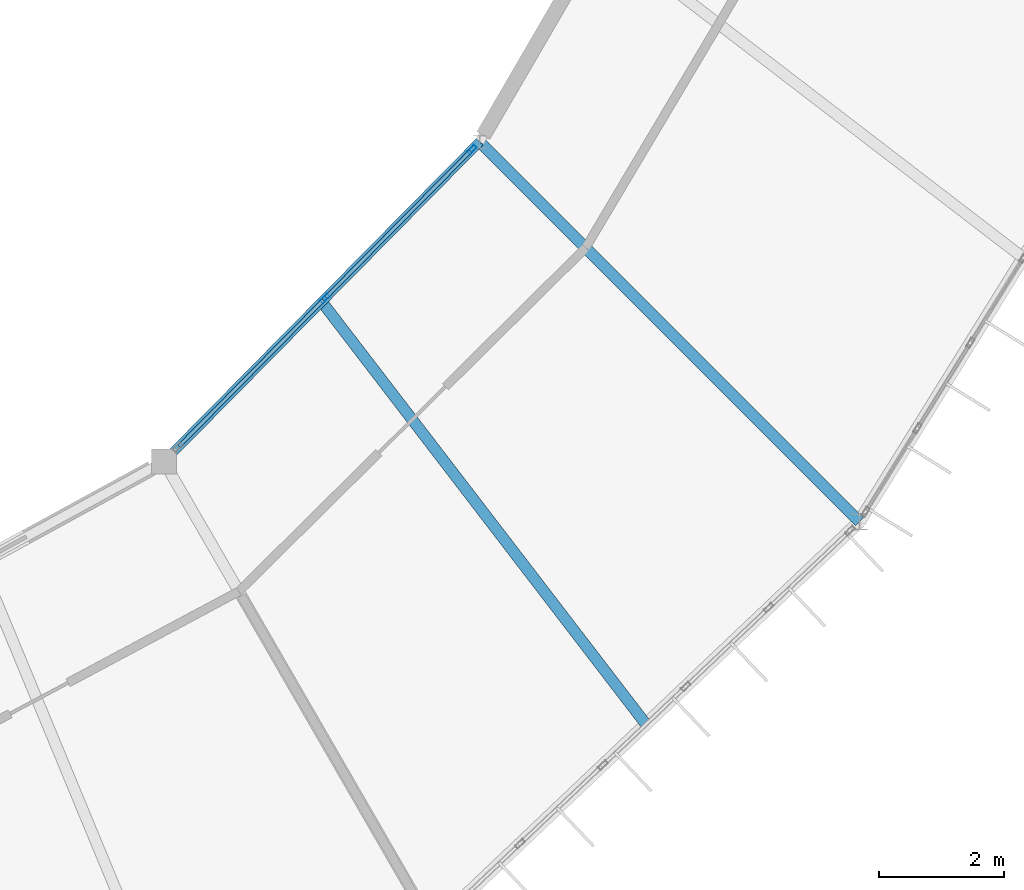
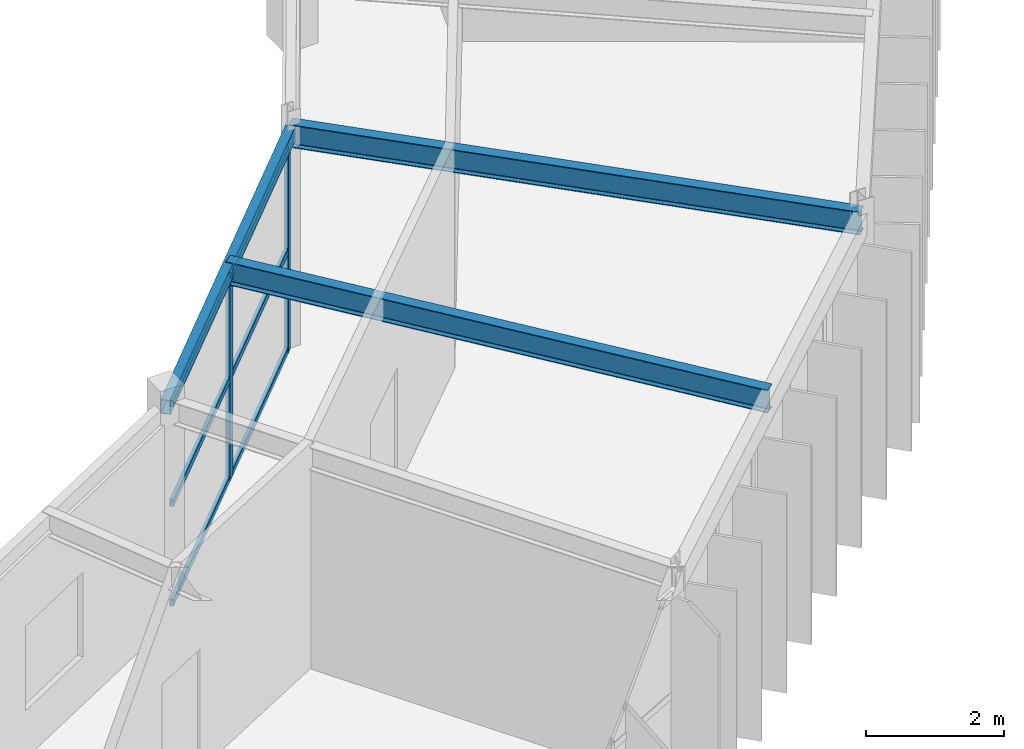
# One storey, part 38 of 106: 8 members, 3 beams, 1 element without a shape of its own.
"""IFC4 building model written with IfcOpenShell, lengths in metres."""

import ifcopenshell
import ifcopenshell.guid

model = None  # the IFC model being written
_history = None  # IfcOwnerHistory: only IFC2X3 demands one
_inside = {}  # id of a spatial element -> (the spatial element, [elements in it])
_under = {}  # id of a project, library or spatial element -> (it, [spatial elements below it])
_declared = {}  # id of a project -> (the project, [libraries it declares])
_typed = {}  # id of a type object -> (the type object, [elements of that type])
_made_of = {}  # id of a material, layer set ... -> (it, [elements and type objects made of it])


def new_model(schema):
    """Start an empty IFC model of exactly this schema.

    Asked for "IFC4X3", IfcOpenShell would pick the latest addendum, in which some entities
    have other attributes; the version numbers below select the first issue.
    IFC2X3 requires an IfcOwnerHistory on every rooted entity: one is made here for all.
    """
    global model, _history
    if schema == "IFC4X3":
        model = ifcopenshell.file(schema_version=(4, 3, 0, 0))
    else:
        model = ifcopenshell.file(schema=schema)
    _inside.clear()
    _under.clear()
    _declared.clear()
    _typed.clear()
    _made_of.clear()
    _history = None
    if model.schema == "IFC2X3":
        org = make("IfcOrganization", Name="unknown")
        user = make(
            "IfcPersonAndOrganization",
            ThePerson=make("IfcPerson", FamilyName="unknown"),
            TheOrganization=org,
        )
        app = make(
            "IfcApplication",
            ApplicationDeveloper=org,
            Version="unknown",
            ApplicationFullName="unknown",
            ApplicationIdentifier="unknown",
        )
        _history = make(
            "IfcOwnerHistory",
            OwningUser=user,
            OwningApplication=app,
            ChangeAction="ADDED",
            CreationDate=0,
        )
    return model


def make(cls, **values):
    """One entity of the class cls with the attributes given. An attribute that is None is left unset."""
    return model.create_entity(
        cls, **{name: value for name, value in values.items() if value is not None}
    )


def rooted(cls, **values):
    """An entity with a GlobalId (a new one), such as an element, a storey or a relation."""
    return make(cls, GlobalId=ifcopenshell.guid.new(), OwnerHistory=_history, **values)


def si_unit(unit_type, name, prefix=None):
    """IfcSIUnit, for example si_unit("LENGTHUNIT", "METRE", prefix="MILLI")."""
    return make("IfcSIUnit", UnitType=unit_type, Prefix=prefix, Name=name)


def assignment(units):
    """IfcUnitAssignment: the units of a project."""
    return None if units is None else make("IfcUnitAssignment", Units=units)


def point(xyz):
    """IfcCartesianPoint."""
    return None if xyz is None else make("IfcCartesianPoint", Coordinates=xyz)


def direction(xyz):
    """IfcDirection."""
    return None if xyz is None else make("IfcDirection", DirectionRatios=xyz)


def frame(location, z_axis=None, x_axis=None):
    """IfcAxis2Placement3D, a coordinate frame: its origin and axes. An axis left out is left unset."""
    return make(
        "IfcAxis2Placement3D",
        Location=point(location),
        Axis=direction(z_axis),
        RefDirection=direction(x_axis),
    )


def frame_2d(location, x_axis=None):
    """IfcAxis2Placement2D, a coordinate frame in the plane: its origin and x axis."""
    return make(
        "IfcAxis2Placement2D", Location=point(location), RefDirection=direction(x_axis)
    )


def origin():
    """The frame at (0, 0, 0) with its axes left unset."""
    return frame((0.0, 0.0, 0.0))


def origin_2d():
    """The frame at (0, 0) in the plane with its x axis left unset."""
    return frame_2d((0.0, 0.0))


def place(relative_to, where):
    """IfcLocalPlacement: puts the frame where relative to a parent placement (None: the world)."""
    return make(
        "IfcLocalPlacement", PlacementRelTo=relative_to, RelativePlacement=where
    )


def context(
    kind, dimensions, precision=None, world=None, true_north=None, identifier=None
):
    """IfcGeometricRepresentationContext, for example the 3D "Model" context."""
    return make(
        "IfcGeometricRepresentationContext",
        ContextIdentifier=identifier,
        ContextType=kind,
        CoordinateSpaceDimension=dimensions,
        Precision=precision,
        WorldCoordinateSystem=world,
        TrueNorth=true_north,
    )


def subcontext(parent, identifier, kind, view, scale=None):
    """IfcGeometricRepresentationSubContext, for example "Body" below "Model"."""
    return make(
        "IfcGeometricRepresentationSubContext",
        ContextIdentifier=identifier,
        ContextType=kind,
        ParentContext=parent,
        TargetScale=scale,
        TargetView=view,
    )


def project(units=None, contexts=None):
    """IfcProject with its units and contexts."""
    return rooted(
        "IfcProject",
        Name="project",
        RepresentationContexts=contexts,
        UnitsInContext=assignment(units),
    )


def spatial(cls, under=None, at=None, **own):
    """A site, building, storey or space (cls), placed at a placement, below another one or the project."""
    s = rooted(cls, ObjectPlacement=at, **own)
    if under is not None:
        _under.setdefault(under.id(), (under, []))[1].append(s)
    return s


def profile(cls, at=None, kind="AREA", **sizes):
    """A parametric profile (cls). Its sizes go by their IFC names, for example OverallWidth=200.0."""
    return make(cls, ProfileType=kind, Position=at, **sizes)


def hollow_rectangle(**sizes):
    """IfcRectangleHollowProfileDef."""
    return profile("IfcRectangleHollowProfileDef", **sizes)


def i_section(**sizes):
    """IfcIShapeProfileDef."""
    return profile("IfcIShapeProfileDef", **sizes)


def extrude(swept, where, along, depth):
    """IfcExtrudedAreaSolid: the profile swept, set in the frame where, extruded along a direction by depth."""
    return make(
        "IfcExtrudedAreaSolid",
        SweptArea=swept,
        Position=where,
        ExtrudedDirection=direction(along),
        Depth=depth,
    )


def shape(context_of_items, identifier, shape_type, items):
    """IfcShapeRepresentation: the items that make up one representation, for example the "Body"."""
    return make(
        "IfcShapeRepresentation",
        ContextOfItems=context_of_items,
        RepresentationIdentifier=identifier,
        RepresentationType=shape_type,
        Items=items,
    )


def material(Name=None, Category=None):
    """IfcMaterial."""
    return make("IfcMaterial", Name=Name, Category=Category)


def material_profile(
    of_material, cross_section, Name=None, Category=None, Priority=None
):
    """IfcMaterialProfile: a cross section and its material."""
    return make(
        "IfcMaterialProfile",
        Name=Name,
        Material=of_material,
        Profile=cross_section,
        Priority=Priority,
        Category=Category,
    )


def profile_set(profiles, Name=None, composite=None):
    """IfcMaterialProfileSet."""
    return make(
        "IfcMaterialProfileSet",
        Name=Name,
        MaterialProfiles=profiles,
        CompositeProfile=composite,
    )


def made_of(thing, what):
    """Note that an element or type object is made of a material, layer set ...; save() writes the relation."""
    if what is not None:
        _made_of.setdefault(what.id(), (what, []))[1].append(thing)
    return thing


def type_object(cls, material=None, **own):
    """A type object (cls), such as IfcWallType, which elements share."""
    return made_of(rooted(cls, **own), material)


def element(
    cls,
    number,
    at=None,
    inside=None,
    cuts=None,
    type_object=None,
    material=None,
    context=None,
    identifier="Body",
    shape_type=None,
    held_by="IfcProductDefinitionShape",
    body=None,
    shapes=None,
    **own,
):
    """One element of the class cls, such as IfcWall. Its Tag is "e" and its number.

    at: its placement. inside: the storey or other place that contains it. cuts: it is an
    opening in that element (IfcRelVoidsElement). A single representation is given by context,
    identifier, shape_type and body (its items); several are given by shapes. held_by: the class
    of the entity that holds the representations. save() writes the other relations.
    """
    e = rooted(cls, Tag="e%d" % number, ObjectPlacement=at, **own)
    if body is not None:
        shapes = [shape(context, identifier, shape_type, body)]
    if shapes is not None:
        e.Representation = make(held_by, Representations=shapes)
    if inside is not None:
        _inside.setdefault(inside.id(), (inside, []))[1].append(e)
    if cuts is not None:
        rooted(
            "IfcRelVoidsElement", RelatingBuildingElement=cuts, RelatedOpeningElement=e
        )
    if type_object is not None:
        _typed.setdefault(type_object.id(), (type_object, []))[1].append(e)
    return made_of(e, material)


def aggregate(whole, parts):
    """IfcRelAggregates: a whole, such as a stair, and the parts it consists of."""
    return rooted("IfcRelAggregates", RelatingObject=whole, RelatedObjects=parts)


def save(model, path):
    """Write the relations noted so far, then the file.

    IfcRelAggregates (storeys below a building ...), IfcRelContainedInSpatialStructure (elements
    in a storey), IfcRelDefinesByType, IfcRelAssociatesMaterial and IfcRelDeclares: one each for
    every whole, place, type object, material and project.
    """
    for whole, parts in _under.values():
        aggregate(whole, parts)
    for where, things in _inside.values():
        rooted(
            "IfcRelContainedInSpatialStructure",
            RelatedElements=things,
            RelatingStructure=where,
        )
    for kind, things in _typed.values():
        rooted("IfcRelDefinesByType", RelatedObjects=things, RelatingType=kind)
    for what, things in _made_of.values():
        rooted("IfcRelAssociatesMaterial", RelatedObjects=things, RelatingMaterial=what)
    for by, libraries in _declared.values():
        rooted("IfcRelDeclares", RelatingContext=by, RelatedDefinitions=libraries)
    model.write(path)


model = new_model("IFC4")

# Units and contexts
model_context = context("Model", 3, precision=1e-05, world=origin(), true_north=direction((0.0, 1.0)))
body_context = subcontext(model_context, "Body", "Model", "MODEL_VIEW")
ifc_project = project(units=[si_unit("LENGTHUNIT", "METRE"), si_unit("AREAUNIT", "SQUARE_METRE"), si_unit("VOLUMEUNIT", "CUBIC_METRE"), si_unit("PLANEANGLEUNIT", "RADIAN"), si_unit("MASSUNIT", "GRAM", prefix="KILO")], contexts=[model_context])

# Site, building, storey
site_placement = place(None, origin())
site = spatial("IfcSite", under=ifc_project, at=site_placement, CompositionType="ELEMENT")
building_placement = place(site_placement, origin())
building = spatial("IfcBuilding", under=site, at=building_placement, Name="Karori Crest Natural Sciences Institute", CompositionType="ELEMENT")
storey_placement = place(building_placement, frame((0.0, 0.0, 25.89990234375)))
storey = spatial("IfcBuildingStorey", under=building, at=storey_placement, Name="L06", CompositionType="ELEMENT", Elevation=25.89990234375)

# Beams
ifc_material_1 = material(Name="Structural steel AS/NZS 3679.1 Grade 350", Category="steel")
ifc_material_profile_1 = material_profile(ifc_material_1, i_section(OverallWidth=0.177978515625, OverallDepth=0.406005859375, WebThickness=0.0078125, FlangeThickness=0.0126953125, FilletRadius=0.010986328125, at=origin_2d()), Name="410UB59.7")
ifc_profile_set_1 = profile_set([ifc_material_profile_1], Name="Structural steel AS/NZS 3679.1 Grade 350")
beam_type_1 = type_object("IfcBeamType", Name="BT-07", PredefinedType="BEAM", material=ifc_profile_set_1)
beam_1_placement = place(storey_placement, frame((83.6533203125, 27.131103515625, 3.739990234375), z_axis=(0.70712097513, -0.707092586958, 0.0), x_axis=(0.707092586958, 0.70712097513, 0.0)))
element("IfcBeam", 1, at=beam_1_placement, inside=storey, type_object=beam_type_1, Name="Beam B-0709", PredefinedType="BEAM", context=body_context, shape_type="SweptSolid", body=[
    extrude(i_section(OverallWidth=0.177978515625, OverallDepth=0.406005859375, WebThickness=0.0078125, FlangeThickness=0.0126953125, FilletRadius=0.010986328125, at=origin_2d()), origin(), (0.0, 0.0, 1.0), 8.60009765625),
])
beam_2_placement = place(storey_placement, frame((81.126708984375, 24.572509765625, 3.739990234375), z_axis=(0.608773524363, -0.793344059053, 0.0), x_axis=(0.793344059053, 0.608773524363, 0.0)))
element("IfcBeam", 2, at=beam_2_placement, inside=storey, type_object=beam_type_1, Name="Beam B-2901", PredefinedType="BEAM", context=body_context, shape_type="SweptSolid", body=[
    extrude(i_section(OverallWidth=0.177978515625, OverallDepth=0.406005859375, WebThickness=0.0078125, FlangeThickness=0.0126953125, FilletRadius=0.010986328125, at=origin_2d()), origin(), (0.0, 0.0, 1.0), 8.5263671875),
])
ifc_material_2 = material(Name="Hollow structural steel AS/NZS 1163 Grade C350", Category="steel")
ifc_material_profile_2 = material_profile(ifc_material_2, hollow_rectangle(XDim=0.14990234375, YDim=0.25, WallThickness=0.009033203125, at=origin_2d()), Name="RHS250x150x9")
ifc_profile_set_2 = profile_set([ifc_material_profile_2], Name="Hollow structural steel AS/NZS 1163 Grade C350")
beam_type_2 = type_object("IfcBeamType", Name="BT-16", PredefinedType="SPANDREL", material=ifc_profile_set_2)
beam_3_placement = place(storey_placement, frame((78.60009765625, 22.013916015625, 3.739990234375), z_axis=(0.702645672149, 0.711539921164, 0.0), x_axis=(-0.711539921164, 0.702645672149, 0.0)))
element("IfcBeam", 3, at=beam_3_placement, inside=storey, type_object=beam_type_2, Name="Beam B-0705", PredefinedType="SPANDREL", context=body_context, shape_type="SweptSolid", body=[
    extrude(hollow_rectangle(XDim=0.14990234375, YDim=0.25, WallThickness=0.009033203125, at=origin_2d()), origin(), (0.0, 0.0, 1.0), 7.191650390625),
])

# Curtain wall, members
ifc_material_3 = material(Name="Anodised architectural aluminium 6063-T6", Category="aluminium")
curtain_wall_type = type_object("IfcCurtainWallType", Name="CWT-11", PredefinedType="NOTDEFINED", material=ifc_material_3)
curtain_wall_placement = place(storey_placement, origin())
curtain_wall = element("IfcCurtainWall", 4, at=curtain_wall_placement, inside=storey, type_object=curtain_wall_type, Name="Curtain wall CW-0215", PredefinedType="NOTDEFINED")
ifc_material_profile_3 = material_profile(ifc_material_3, hollow_rectangle(XDim=0.06494140625, YDim=0.159912109375, WallThickness=0.00390625, at=origin_2d()), Name="CWM160x65x4")
ifc_profile_set_3 = profile_set([ifc_material_profile_3], Name="Anodised architectural aluminium 6063-T6")
member_type_1 = type_object("IfcMemberType", Name="CWM-01", PredefinedType="MULLION", material=ifc_profile_set_3)
member_1_placement = place(storey_placement, frame((81.17431640625, 24.62060546875, 0.0), z_axis=(0.0, 0.0, 1.0), x_axis=(-0.711524963942, 0.702660818381, 0.0)))
member_1 = element("IfcMember", 5, at=member_1_placement, type_object=member_type_1, Name="CW-0215 mullion 2", PredefinedType="MULLION", context=body_context, shape_type="SweptSolid", body=[
    extrude(hollow_rectangle(XDim=0.06494140625, YDim=0.159912109375, WallThickness=0.00390625, at=origin_2d()), origin(), (0.0, 0.0, 1.0), 3.60009765625),
])
member_2_placement = place(storey_placement, frame((83.529541015625, 27.005615234375, 0.0), z_axis=(0.0, 0.0, 1.0), x_axis=(-0.711524963942, 0.702660818381, 0.0)))
member_2 = element("IfcMember", 6, at=member_2_placement, type_object=member_type_1, Name="CW-0215 mullion 3", PredefinedType="MULLION", context=body_context, shape_type="SweptSolid", body=[
    extrude(hollow_rectangle(XDim=0.06494140625, YDim=0.159912109375, WallThickness=0.00390625, at=origin_2d()), origin(), (0.0, 0.0, 1.0), 3.60009765625),
])
ifc_material_profile_4 = material_profile(ifc_material_3, hollow_rectangle(XDim=0.06005859375, YDim=0.1201171875, WallThickness=0.00390625, at=origin_2d()), Name="CWT120x60x4")
ifc_profile_set_4 = profile_set([ifc_material_profile_4], Name="Anodised architectural aluminium 6063-T6")
member_type_2 = type_object("IfcMemberType", Name="CWT-TR1", PredefinedType="USERDEFINED", material=ifc_profile_set_4)
member_3_placement = place(storey_placement, frame((78.841796875, 22.2587890625, 0.030029296875), z_axis=(0.702636271003, 0.711549204673, 0.0), x_axis=(-0.711549204673, 0.702636271003, 0.0)))
member_3 = element("IfcMember", 7, at=member_3_placement, type_object=member_type_2, Name="CW-0215 transom 1.1", ObjectType="TRANSOM", PredefinedType="USERDEFINED", context=body_context, shape_type="SweptSolid", body=[
    extrude(hollow_rectangle(XDim=0.06005859375, YDim=0.1201171875, WallThickness=0.00390625, at=origin_2d()), origin(), (0.0, 0.0, 1.0), 3.287109375),
])
member_4_placement = place(storey_placement, frame((78.841796875, 22.2587890625, 1.800048828125), z_axis=(0.702636271003, 0.711549204673, 0.0), x_axis=(-0.711549204673, 0.702636271003, 0.0)))
member_4 = element("IfcMember", 8, at=member_4_placement, type_object=member_type_2, Name="CW-0215 transom 1.2", ObjectType="TRANSOM", PredefinedType="USERDEFINED", context=body_context, shape_type="SweptSolid", body=[
    extrude(hollow_rectangle(XDim=0.06005859375, YDim=0.1201171875, WallThickness=0.00390625, at=origin_2d()), origin(), (0.0, 0.0, 1.0), 3.287109375),
])
member_5_placement = place(storey_placement, frame((78.841796875, 22.2587890625, 3.570068359375), z_axis=(0.702636271003, 0.711549204673, 0.0), x_axis=(-0.711549204673, 0.702636271003, 0.0)))
member_5 = element("IfcMember", 9, at=member_5_placement, type_object=member_type_2, Name="CW-0215 transom 1.3", ObjectType="TRANSOM", PredefinedType="USERDEFINED", context=body_context, shape_type="SweptSolid", body=[
    extrude(hollow_rectangle(XDim=0.06005859375, YDim=0.1201171875, WallThickness=0.00390625, at=origin_2d()), origin(), (0.0, 0.0, 1.0), 3.287109375),
])
member_6_placement = place(storey_placement, frame((81.197021484375, 24.643798828125, 0.030029296875), z_axis=(0.702636271003, 0.711549204673, 0.0), x_axis=(-0.711549204673, 0.702636271003, 0.0)))
member_6 = element("IfcMember", 10, at=member_6_placement, type_object=member_type_2, Name="CW-0215 transom 2.1", ObjectType="TRANSOM", PredefinedType="USERDEFINED", context=body_context, shape_type="SweptSolid", body=[
    extrude(hollow_rectangle(XDim=0.06005859375, YDim=0.1201171875, WallThickness=0.00390625, at=origin_2d()), origin(), (0.0, 0.0, 1.0), 3.287109375),
])
member_7_placement = place(storey_placement, frame((81.197021484375, 24.643798828125, 1.800048828125), z_axis=(0.702636271003, 0.711549204673, 0.0), x_axis=(-0.711549204673, 0.702636271003, 0.0)))
member_7 = element("IfcMember", 11, at=member_7_placement, type_object=member_type_2, Name="CW-0215 transom 2.2", ObjectType="TRANSOM", PredefinedType="USERDEFINED", context=body_context, shape_type="SweptSolid", body=[
    extrude(hollow_rectangle(XDim=0.06005859375, YDim=0.1201171875, WallThickness=0.00390625, at=origin_2d()), origin(), (0.0, 0.0, 1.0), 3.287109375),
])
member_8_placement = place(storey_placement, frame((81.197021484375, 24.643798828125, 3.570068359375), z_axis=(0.702636271003, 0.711549204673, 0.0), x_axis=(-0.711549204673, 0.702636271003, 0.0)))
member_8 = element("IfcMember", 12, at=member_8_placement, type_object=member_type_2, Name="CW-0215 transom 2.3", ObjectType="TRANSOM", PredefinedType="USERDEFINED", context=body_context, shape_type="SweptSolid", body=[
    extrude(hollow_rectangle(XDim=0.06005859375, YDim=0.1201171875, WallThickness=0.00390625, at=origin_2d()), origin(), (0.0, 0.0, 1.0), 3.287109375),
])
aggregate(curtain_wall, [member_1, member_2, member_3, member_4, member_5, member_6, member_7, member_8])

save(model, "model.ifc")
